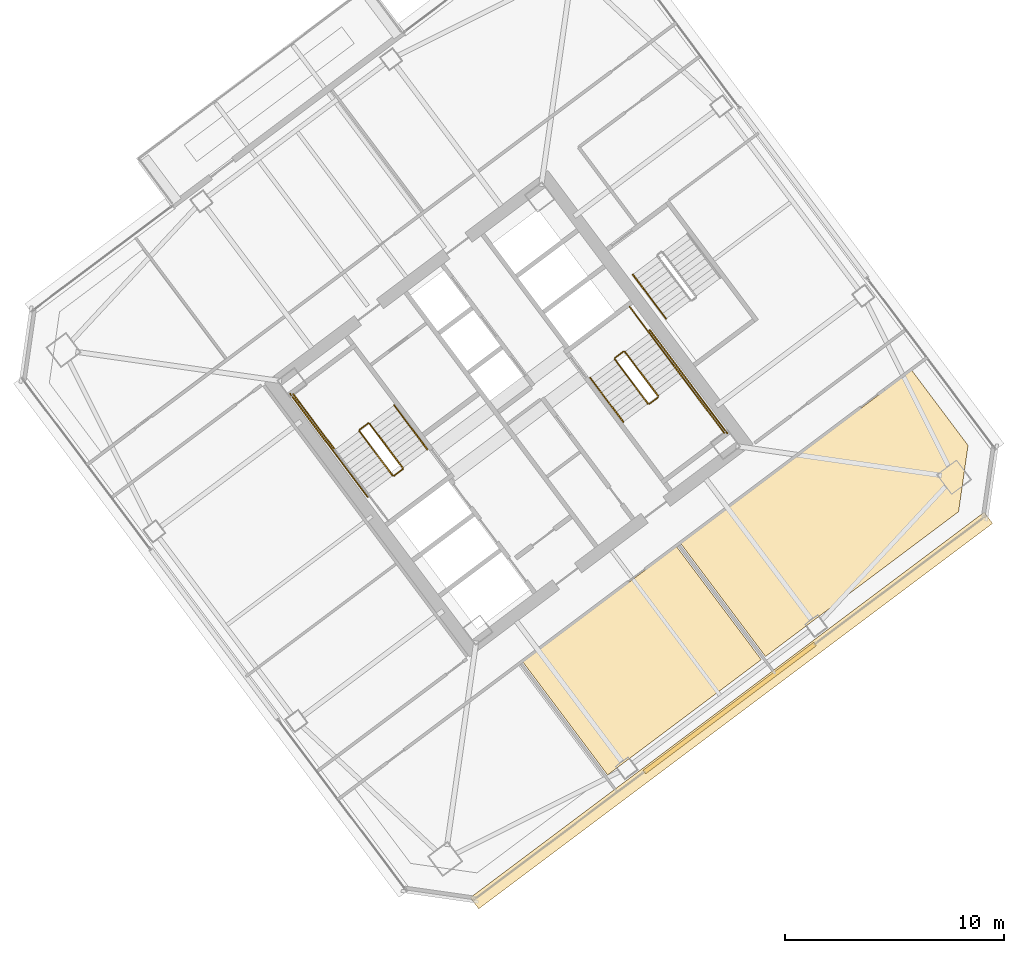
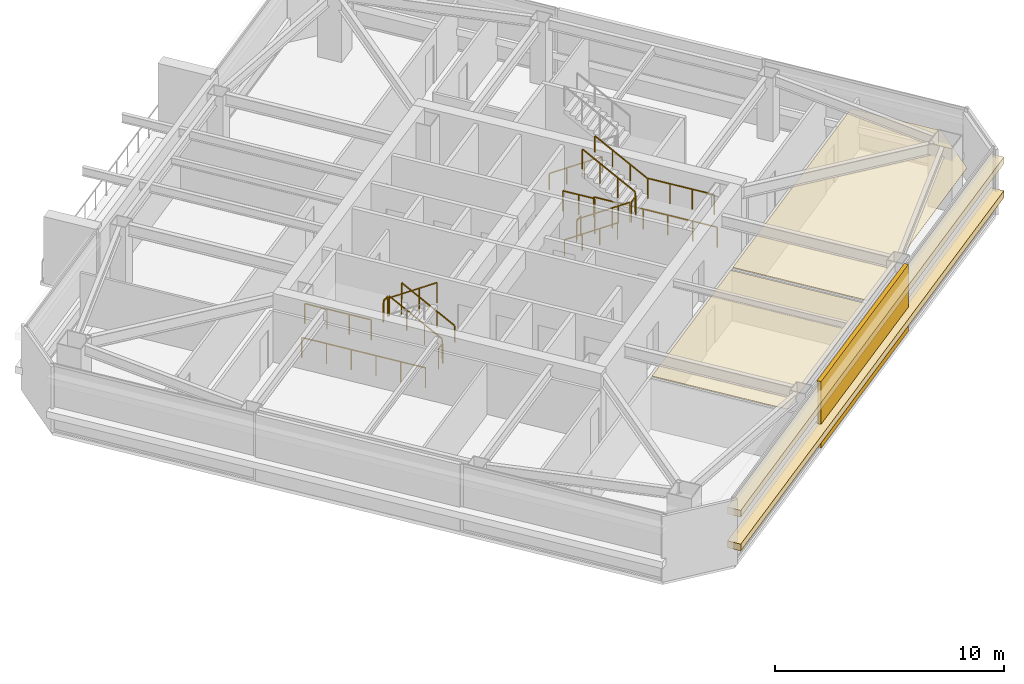
# One storey, part 39 of 41: 17 railings, 5 coverings.
"""IFC4 building model written with IfcOpenShell, lengths in metres."""

from ifc_helpers import new_model, si_unit, direction, frame, origin, origin_2d, place, context, subcontext, project, spatial, polyline, rectangle, outline, extrude, material, layer, layer_set, type_object, element, save


model = new_model("IFC4")

# Units and contexts
model_context = context("Model", 3, precision=1e-05, world=origin(), true_north=direction((0.0, 1.0)))
body_context = subcontext(model_context, "Body", "Model", "MODEL_VIEW")
ifc_project = project(units=[si_unit("LENGTHUNIT", "METRE"), si_unit("AREAUNIT", "SQUARE_METRE"), si_unit("VOLUMEUNIT", "CUBIC_METRE"), si_unit("PLANEANGLEUNIT", "RADIAN"), si_unit("MASSUNIT", "GRAM", prefix="KILO")], contexts=[model_context])

# Site, building, storey
site_placement = place(None, origin())
site = spatial("IfcSite", under=ifc_project, at=site_placement, CompositionType="ELEMENT")
building_placement = place(site_placement, origin())
building = spatial("IfcBuilding", under=site, at=building_placement, Name="Tashvorn Skyway Center", CompositionType="ELEMENT")
storey_placement = place(building_placement, frame((0.0, 0.0, 192.5)))
storey = spatial("IfcBuildingStorey", under=building, at=storey_placement, Name="L52", CompositionType="ELEMENT", Elevation=192.5)

# Coverings
ifc_material_1 = material(Name="Precast concrete C40/50", Category="concrete")
ifc_layer_1 = layer(ifc_material_1, 0.199951171875)
ifc_layer_set_1 = layer_set([ifc_layer_1], Name="Precast concrete C40/50")
covering_type_1 = type_object("IfcCoveringType", Name="COV-BRACE-CLAD", PredefinedType="CLADDING", material=ifc_layer_set_1)
covering_1_placement = place(storey_placement, frame((124.068115234375, 18.575927734375, 0.0), z_axis=(0.0, 0.0, 1.0), x_axis=(-0.799999996291, -0.600000004945, 0.0)))
element("IfcCovering", 1, at=covering_1_placement, inside=storey, type_object=covering_type_1, Name="Tower 2 L52 South Unitised Curtain Wall Mega-Brace Cladding Band 1", PredefinedType="CLADDING", context=body_context, shape_type="SweptSolid", body=[
    extrude(rectangle(XDim=9.719970703125, YDim=0.199951171875, at=origin_2d()), origin(), (0.0, 0.0, 1.0), 3.550048828125),
])
ifc_material_2 = material(Name="Mineral-fibre acoustic ceiling tile on suspended grid")
ifc_layer_2 = layer(ifc_material_2, 0.02001953125)
ifc_layer_set_2 = layer_set([ifc_layer_2], Name="Mineral-fibre acoustic ceiling tile on suspended grid")
covering_type_2 = type_object("IfcCoveringType", Name="COV-CEIL-20", PredefinedType="CEILING", material=ifc_layer_set_2)
covering_2_placement = place(storey_placement, frame((0.0, 0.0, 2.702880859375)))
element("IfcCovering", 2, at=covering_2_placement, inside=storey, type_object=covering_type_2, Name="Tower 2 L52 Boardroom Acoustic Ceiling", PredefinedType="CEILING", context=body_context, shape_type="SweptSolid", body=[
    extrude(outline(polyline([(114.639892578125, 20.679931640625), (121.64794921875, 25.93603515625), (125.511962890625, 20.783935546875), (118.50390625, 15.528076171875), (114.639892578125, 20.679931640625)])), origin(), (0.0, 0.0, 1.0), 0.02001953125),
])
covering_3_placement = place(storey_placement, frame((0.0, 0.0, 2.702880859375)))
element("IfcCovering", 3, at=covering_3_placement, inside=storey, type_object=covering_type_2, Name="Tower 2 L52 Boardroom Acoustic Ceiling", PredefinedType="CEILING", context=body_context, shape_type="SweptSolid", body=[
    extrude(outline(polyline([(125.7041015625, 20.927978515625), (121.840087890625, 26.080078125), (132.367919921875, 33.97607421875), (134.93603515625, 30.552001953125), (134.50390625, 27.528076171875), (125.7041015625, 20.927978515625)])), origin(), (0.0, 0.0, 1.0), 0.02001953125),
])
ifc_material_3 = material(Name="Perforated ceramic-coated bronze aluminium solar screen", Category="aluminium")
ifc_layer_3 = layer(ifc_material_3, 0.85009765625)
ifc_layer_set_3 = layer_set([ifc_layer_3], Name="Perforated ceramic-coated bronze aluminium solar screen")
covering_type_3 = type_object("IfcCoveringType", Name="COV-SOLAR-BAND", PredefinedType="CLADDING", material=ifc_layer_set_3)
for number, where, z_axis, x_axis, name in (
    (4, (124.152099609375, 18.464111328125, 0.919921875), (0.0, 0.0, 1.0), (-0.799999996291, -0.600000004945, 0.0), "L52 Perforated Ceramic-Metal Solar Screen Louvre Band South 1"),
    (5, (124.152099609375, 18.464111328125, 2.7197265625), (0.0, 0.0, 1.0), (-0.799999996291, -0.600000004945, 0.0), "L52 Perforated Ceramic-Metal Solar Screen Louvre Band South 2"),
):
    element("IfcCovering", number, at=place(storey_placement, frame(where, z_axis=z_axis, x_axis=x_axis)), inside=storey, type_object=covering_type_3, Name=name, PredefinedType="CLADDING", context=body_context, shape_type="SweptSolid", body=[
        extrude(rectangle(XDim=29.280029296875, YDim=0.639892578125, at=origin_2d()), origin(), (0.0, 0.0, 1.0), 0.360107421875),
    ])

# Railings
ifc_material_4 = material(Name="Brushed stainless steel 316", Category="steel")
railing_type_1 = type_object("IfcRailingType", Name="RAIL-HAND-920", PredefinedType="HANDRAIL", material=ifc_material_4)
railing_1_placement = place(storey_placement, frame((110.2880859375, 30.365966796875, 0.177490234375)))
element("IfcRailing", 6, at=railing_1_placement, inside=storey, type_object=railing_type_1, Name="L52 ST-T2-1 stair handrail 1", PredefinedType="HANDRAIL", context=body_context, shape_type="SweptSolid", body=[
    extrude(rectangle(XDim=0.048095703125, YDim=0.048095703125, at=origin_2d()), frame((0.0, 0.0, 0.8759765625), z_axis=(-0.506801609611, 0.675680931896, 0.535357270211), x_axis=(-0.799976749893, -0.600030998891, 0.0)), (0.0, 0.0, 1.0), 2.98388671875),
    extrude(rectangle(XDim=0.0419921875, YDim=0.0419921875, at=origin_2d()), origin(), (0.0, 0.0, 1.0), 0.851806640625),
    extrude(rectangle(XDim=0.0419921875, YDim=0.0419921875, at=origin_2d()), frame((-0.504150390625, 0.672119140625, 0.532470703125)), (0.0, 0.0, 1.0), 0.851806640625),
    extrude(rectangle(XDim=0.0419921875, YDim=0.0419921875, at=origin_2d()), frame((-1.008056640625, 1.343994140625, 1.06494140625)), (0.0, 0.0, 1.0), 0.851806640625),
    extrude(rectangle(XDim=0.0419921875, YDim=0.0419921875, at=origin_2d()), frame((-1.51220703125, 2.01611328125, 1.597412109375)), (0.0, 0.0, 1.0), 0.851806640625),
])
railing_2_placement = place(storey_placement, frame((117.7119140625, 33.634033203125, 0.177490234375)))
element("IfcRailing", 7, at=railing_2_placement, inside=storey, type_object=railing_type_1, Name="L52 ST-T2-2 stair handrail 1", PredefinedType="HANDRAIL", context=body_context, shape_type="SweptSolid", body=[
    extrude(rectangle(XDim=0.048095703125, YDim=0.048095703125, at=origin_2d()), frame((0.0, 0.0, 0.8759765625), z_axis=(0.506801609611, -0.675680931896, 0.535357270211), x_axis=(0.799976749893, 0.600030998891, 0.0)), (0.0, 0.0, 1.0), 2.98388671875),
    extrude(rectangle(XDim=0.0419921875, YDim=0.0419921875, at=origin_2d()), origin(), (0.0, 0.0, 1.0), 0.851806640625),
    extrude(rectangle(XDim=0.0419921875, YDim=0.0419921875, at=origin_2d()), frame((0.504150390625, -0.672119140625, 0.532470703125)), (0.0, 0.0, 1.0), 0.851806640625),
    extrude(rectangle(XDim=0.0419921875, YDim=0.0419921875, at=origin_2d()), frame((1.008056640625, -1.343994140625, 1.06494140625)), (0.0, 0.0, 1.0), 0.851806640625),
    extrude(rectangle(XDim=0.0419921875, YDim=0.0419921875, at=origin_2d()), frame((1.51220703125, -2.01611328125, 1.597412109375)), (0.0, 0.0, 1.0), 0.851806640625),
])
railing_3_placement = place(storey_placement, frame((121.927978515625, 33.64599609375, 1.952392578125)))
element("IfcRailing", 8, at=railing_3_placement, inside=storey, type_object=railing_type_1, Name="L52 ST-T2-2 stair handrail 2", PredefinedType="HANDRAIL", context=body_context, shape_type="SweptSolid", body=[
    extrude(rectangle(XDim=0.048095703125, YDim=0.048095703125, at=origin_2d()), frame((0.0, 0.0, 0.8759765625), z_axis=(-0.506718600913, 0.675679348675, 0.535437836974), x_axis=(-0.800023250257, -0.599968998406, 0.0)), (0.0, 0.0, 1.0), 2.98388671875),
    extrude(rectangle(XDim=0.0419921875, YDim=0.0419921875, at=origin_2d()), origin(), (0.0, 0.0, 1.0), 0.851806640625),
    extrude(rectangle(XDim=0.0419921875, YDim=0.0419921875, at=origin_2d()), frame((-0.50390625, 0.672119140625, 0.532470703125)), (0.0, 0.0, 1.0), 0.851806640625),
    extrude(rectangle(XDim=0.0419921875, YDim=0.0419921875, at=origin_2d()), frame((-1.008056640625, 1.343994140625, 1.065185546875)), (0.0, 0.0, 1.0), 0.851806640625),
    extrude(rectangle(XDim=0.0419921875, YDim=0.0419921875, at=origin_2d()), frame((-1.511962890625, 2.01611328125, 1.59765625)), (0.0, 0.0, 1.0), 0.851806640625),
])
railing_4_placement = place(storey_placement, frame((119.656005859375, 38.342041015625, 0.177490234375)))
element("IfcRailing", 9, at=railing_4_placement, inside=storey, type_object=railing_type_1, Name="L52 ST-T2-3 stair handrail 1", PredefinedType="HANDRAIL", context=body_context, shape_type="SweptSolid", body=[
    extrude(rectangle(XDim=0.048095703125, YDim=0.048095703125, at=origin_2d()), frame((0.0, 0.0, 0.8759765625), z_axis=(0.506740800098, -0.675708949977, 0.535379469569), x_axis=(0.800023250257, 0.599968998406, 0.0)), (0.0, 0.0, 1.0), 2.983642578125),
    extrude(rectangle(XDim=0.0419921875, YDim=0.0419921875, at=origin_2d()), origin(), (0.0, 0.0, 1.0), 0.851806640625),
    extrude(rectangle(XDim=0.0419921875, YDim=0.0419921875, at=origin_2d()), frame((0.50390625, -0.672119140625, 0.532470703125)), (0.0, 0.0, 1.0), 0.851806640625),
    extrude(rectangle(XDim=0.0419921875, YDim=0.0419921875, at=origin_2d()), frame((1.008056640625, -1.343994140625, 1.06494140625)), (0.0, 0.0, 1.0), 0.851806640625),
    extrude(rectangle(XDim=0.0419921875, YDim=0.0419921875, at=origin_2d()), frame((1.511962890625, -2.01611328125, 1.597412109375)), (0.0, 0.0, 1.0), 0.851806640625),
])
ifc_material_5 = material(Name="Painted galvanized steel S355", Category="steel")
railing_type_2 = type_object("IfcRailingType", Name="RAIL-STGUARD-1100", PredefinedType="GUARDRAIL", material=ifc_material_5)
railing_5_placement = place(storey_placement, frame((109.16796875, 29.52587890625, 0.177490234375)))
element("IfcRailing", 10, at=railing_5_placement, inside=storey, type_object=railing_type_2, Name="L52 ST-T2-1 stair guard 1", PredefinedType="GUARDRAIL", context=body_context, shape_type="SweptSolid", body=[
    extrude(rectangle(XDim=0.048095703125, YDim=0.048095703125, at=origin_2d()), frame((0.0, 0.0, 1.076171875), z_axis=(-0.506740800098, 0.675708949977, 0.535379469569), x_axis=(-0.800023250257, -0.599968998406, 0.0)), (0.0, 0.0, 1.0), 2.983642578125),
    extrude(rectangle(XDim=0.0419921875, YDim=0.0419921875, at=origin_2d()), origin(), (0.0, 0.0, 1.0), 1.052001953125),
    extrude(rectangle(XDim=0.0419921875, YDim=0.0419921875, at=origin_2d()), frame((-0.50390625, 0.672119140625, 0.532470703125)), (0.0, 0.0, 1.0), 1.052001953125),
    extrude(rectangle(XDim=0.0419921875, YDim=0.0419921875, at=origin_2d()), frame((-1.008056640625, 1.343994140625, 1.06494140625)), (0.0, 0.0, 1.0), 1.052001953125),
    extrude(rectangle(XDim=0.0419921875, YDim=0.0419921875, at=origin_2d()), frame((-1.511962890625, 2.01611328125, 1.597412109375)), (0.0, 0.0, 1.0), 1.052001953125),
])
railing_6_placement = place(storey_placement, frame((107.5859375, 31.552001953125, 1.77490234375)))
element("IfcRailing", 11, at=railing_6_placement, inside=storey, type_object=railing_type_2, Name="L52 ST-T2-1 stair guard 2", PredefinedType="GUARDRAIL", context=body_context, shape_type="SweptSolid", body=[
    extrude(rectangle(XDim=0.048095703125, YDim=0.048095703125, at=origin_2d()), frame((0.0, 0.0, 1.076171875), z_axis=(-0.799938970639, -0.600081363861, 0.0), x_axis=(0.600081363861, -0.799938970639, 0.0)), (0.0, 0.0, 1.0), 0.47998046875),
    extrude(rectangle(XDim=0.0419921875, YDim=0.0419921875, at=origin_2d()), origin(), (0.0, 0.0, 1.0), 1.052001953125),
    extrude(rectangle(XDim=0.0419921875, YDim=0.0419921875, at=origin_2d()), frame((-0.384033203125, -0.2880859375, 0.0)), (0.0, 0.0, 1.0), 1.052001953125),
])
railing_7_placement = place(storey_placement, frame((106.072021484375, 30.35400390625, 1.77490234375)))
element("IfcRailing", 12, at=railing_7_placement, inside=storey, type_object=railing_type_2, Name="L52 ST-T2-1 stair guard 3", PredefinedType="GUARDRAIL", context=body_context, shape_type="SweptSolid", body=[
    extrude(rectangle(XDim=0.048095703125, YDim=0.048095703125, at=origin_2d()), frame((0.0, 0.0, 1.076171875), z_axis=(-0.599987638607, 0.800009270896, 0.0), x_axis=(-0.800009270896, -0.599987638607, 0.0)), (0.0, 0.0, 1.0), 3.16015625),
    extrude(rectangle(XDim=0.0419921875, YDim=0.0419921875, at=origin_2d()), origin(), (0.0, 0.0, 1.0), 1.052001953125),
    extrude(rectangle(XDim=0.0419921875, YDim=0.0419921875, at=origin_2d()), frame((-0.632080078125, 0.8427734375, 0.0)), (0.0, 0.0, 1.0), 1.052001953125),
    extrude(rectangle(XDim=0.0419921875, YDim=0.0419921875, at=origin_2d()), frame((-1.263916015625, 1.685302734375, 0.0)), (0.0, 0.0, 1.0), 1.052001953125),
    extrude(rectangle(XDim=0.0419921875, YDim=0.0419921875, at=origin_2d()), frame((-1.89599609375, 2.528076171875, 0.0)), (0.0, 0.0, 1.0), 1.052001953125),
])
railing_8_placement = place(storey_placement, frame((107.19189453125, 31.194091796875, 1.952392578125)))
element("IfcRailing", 13, at=railing_8_placement, inside=storey, type_object=railing_type_2, Name="L52 ST-T2-1 stair guard 4", PredefinedType="GUARDRAIL", context=body_context, shape_type="SweptSolid", body=[
    extrude(rectangle(XDim=0.048095703125, YDim=0.048095703125, at=origin_2d()), frame((0.0, 0.0, 1.076171875), z_axis=(0.506779409603, -0.675651334276, 0.53541563714), x_axis=(0.799976749893, 0.600030998891, 0.0)), (0.0, 0.0, 1.0), 2.98388671875),
    extrude(rectangle(XDim=0.0419921875, YDim=0.0419921875, at=origin_2d()), origin(), (0.0, 0.0, 1.0), 1.052001953125),
    extrude(rectangle(XDim=0.0419921875, YDim=0.0419921875, at=origin_2d()), frame((0.504150390625, -0.672119140625, 0.532470703125)), (0.0, 0.0, 1.0), 1.052001953125),
    extrude(rectangle(XDim=0.0419921875, YDim=0.0419921875, at=origin_2d()), frame((1.008056640625, -1.343994140625, 1.065185546875)), (0.0, 0.0, 1.0), 1.052001953125),
    extrude(rectangle(XDim=0.0419921875, YDim=0.0419921875, at=origin_2d()), frame((1.51220703125, -2.01611328125, 1.59765625)), (0.0, 0.0, 1.0), 1.052001953125),
])
railing_9_placement = place(storey_placement, frame((109.157958984375, 29.4560546875, 0.0)))
element("IfcRailing", 14, at=railing_9_placement, inside=storey, type_object=railing_type_2, Name="L52 ST-T2-1 stair guard 5", PredefinedType="GUARDRAIL", context=body_context, shape_type="SweptSolid", body=[
    extrude(rectangle(XDim=0.048095703125, YDim=0.048095703125, at=origin_2d()), frame((0.0, 0.0, 1.076171875), z_axis=(-0.799938970639, -0.600081363861, 0.0), x_axis=(0.600081363861, -0.799938970639, 0.0)), (0.0, 0.0, 1.0), 0.47998046875),
    extrude(rectangle(XDim=0.0419921875, YDim=0.0419921875, at=origin_2d()), origin(), (0.0, 0.0, 1.0), 1.052001953125),
    extrude(rectangle(XDim=0.0419921875, YDim=0.0419921875, at=origin_2d()), frame((-0.384033203125, -0.2880859375, 0.0)), (0.0, 0.0, 1.0), 1.052001953125),
])
railing_10_placement = place(storey_placement, frame((107.56396484375, 28.197998046875, 0.0)))
element("IfcRailing", 15, at=railing_10_placement, inside=storey, type_object=railing_type_2, Name="L52 ST-T2-1 stair guard 7", PredefinedType="GUARDRAIL", context=body_context, shape_type="SweptSolid", body=[
    extrude(rectangle(XDim=0.048095703125, YDim=0.048095703125, at=origin_2d()), frame((0.0, 0.0, 1.076171875), z_axis=(-0.6, 0.8, 0.0), x_axis=(-0.8, -0.6, 0.0)), (0.0, 0.0, 1.0), 5.880126953125),
    extrude(rectangle(XDim=0.0419921875, YDim=0.0419921875, at=origin_2d()), origin(), (0.0, 0.0, 1.0), 1.052001953125),
    extrude(rectangle(XDim=0.0419921875, YDim=0.0419921875, at=origin_2d()), frame((-0.70556640625, 0.94091796875, 0.0)), (0.0, 0.0, 1.0), 1.052001953125),
    extrude(rectangle(XDim=0.0419921875, YDim=0.0419921875, at=origin_2d()), frame((-1.4111328125, 1.881591796875, 0.0)), (0.0, 0.0, 1.0), 1.052001953125),
    extrude(rectangle(XDim=0.0419921875, YDim=0.0419921875, at=origin_2d()), frame((-2.116943359375, 2.822509765625, 0.0)), (0.0, 0.0, 1.0), 1.052001953125),
    extrude(rectangle(XDim=0.0419921875, YDim=0.0419921875, at=origin_2d()), frame((-2.822509765625, 3.76318359375, 0.0)), (0.0, 0.0, 1.0), 1.052001953125),
    extrude(rectangle(XDim=0.0419921875, YDim=0.0419921875, at=origin_2d()), frame((-3.528076171875, 4.7041015625, 0.0)), (0.0, 0.0, 1.0), 1.052001953125),
])
railing_11_placement = place(storey_placement, frame((118.83203125, 34.47412109375, 0.177490234375)))
element("IfcRailing", 16, at=railing_11_placement, inside=storey, type_object=railing_type_2, Name="L52 ST-T2-2 stair guard 1", PredefinedType="GUARDRAIL", context=body_context, shape_type="SweptSolid", body=[
    extrude(rectangle(XDim=0.048095703125, YDim=0.048095703125, at=origin_2d()), frame((0.0, 0.0, 1.076171875), z_axis=(0.506740800098, -0.675708949977, 0.535379469569), x_axis=(0.800023250257, 0.599968998406, 0.0)), (0.0, 0.0, 1.0), 2.983642578125),
    extrude(rectangle(XDim=0.0419921875, YDim=0.0419921875, at=origin_2d()), origin(), (0.0, 0.0, 1.0), 1.052001953125),
    extrude(rectangle(XDim=0.0419921875, YDim=0.0419921875, at=origin_2d()), frame((0.50390625, -0.672119140625, 0.532470703125)), (0.0, 0.0, 1.0), 1.052001953125),
    extrude(rectangle(XDim=0.0419921875, YDim=0.0419921875, at=origin_2d()), frame((1.008056640625, -1.343994140625, 1.06494140625)), (0.0, 0.0, 1.0), 1.052001953125),
    extrude(rectangle(XDim=0.0419921875, YDim=0.0419921875, at=origin_2d()), frame((1.511962890625, -2.01611328125, 1.597412109375)), (0.0, 0.0, 1.0), 1.052001953125),
])
railing_12_placement = place(storey_placement, frame((120.4140625, 32.447998046875, 1.77490234375)))
element("IfcRailing", 17, at=railing_12_placement, inside=storey, type_object=railing_type_2, Name="L52 ST-T2-2 stair guard 2", PredefinedType="GUARDRAIL", context=body_context, shape_type="SweptSolid", body=[
    extrude(rectangle(XDim=0.048095703125, YDim=0.048095703125, at=origin_2d()), frame((0.0, 0.0, 1.076171875), z_axis=(0.799938970639, 0.600081363861, 0.0), x_axis=(-0.600081363861, 0.799938970639, 0.0)), (0.0, 0.0, 1.0), 0.47998046875),
    extrude(rectangle(XDim=0.0419921875, YDim=0.0419921875, at=origin_2d()), origin(), (0.0, 0.0, 1.0), 1.052001953125),
    extrude(rectangle(XDim=0.0419921875, YDim=0.0419921875, at=origin_2d()), frame((0.384033203125, 0.2880859375, 0.0)), (0.0, 0.0, 1.0), 1.052001953125),
])
railing_13_placement = place(storey_placement, frame((121.927978515625, 33.64599609375, 1.77490234375)))
element("IfcRailing", 18, at=railing_13_placement, inside=storey, type_object=railing_type_2, Name="L52 ST-T2-2 stair guard 3", PredefinedType="GUARDRAIL", context=body_context, shape_type="SweptSolid", body=[
    extrude(rectangle(XDim=0.048095703125, YDim=0.048095703125, at=origin_2d()), frame((0.0, 0.0, 1.076171875), z_axis=(0.599987638607, -0.800009270896, 0.0), x_axis=(0.800009270896, 0.599987638607, 0.0)), (0.0, 0.0, 1.0), 3.16015625),
    extrude(rectangle(XDim=0.0419921875, YDim=0.0419921875, at=origin_2d()), origin(), (0.0, 0.0, 1.0), 1.052001953125),
    extrude(rectangle(XDim=0.0419921875, YDim=0.0419921875, at=origin_2d()), frame((0.632080078125, -0.8427734375, 0.0)), (0.0, 0.0, 1.0), 1.052001953125),
    extrude(rectangle(XDim=0.0419921875, YDim=0.0419921875, at=origin_2d()), frame((1.263916015625, -1.685302734375, 0.0)), (0.0, 0.0, 1.0), 1.052001953125),
    extrude(rectangle(XDim=0.0419921875, YDim=0.0419921875, at=origin_2d()), frame((1.89599609375, -2.528076171875, 0.0)), (0.0, 0.0, 1.0), 1.052001953125),
])
railing_14_placement = place(storey_placement, frame((120.80810546875, 32.805908203125, 1.952392578125)))
element("IfcRailing", 19, at=railing_14_placement, inside=storey, type_object=railing_type_2, Name="L52 ST-T2-2 stair guard 4", PredefinedType="GUARDRAIL", context=body_context, shape_type="SweptSolid", body=[
    extrude(rectangle(XDim=0.048095703125, YDim=0.048095703125, at=origin_2d()), frame((0.0, 0.0, 1.076171875), z_axis=(-0.506779409603, 0.675651334276, 0.53541563714), x_axis=(-0.799976749893, -0.600030998891, 0.0)), (0.0, 0.0, 1.0), 2.98388671875),
    extrude(rectangle(XDim=0.0419921875, YDim=0.0419921875, at=origin_2d()), origin(), (0.0, 0.0, 1.0), 1.052001953125),
    extrude(rectangle(XDim=0.0419921875, YDim=0.0419921875, at=origin_2d()), frame((-0.504150390625, 0.672119140625, 0.532470703125)), (0.0, 0.0, 1.0), 1.052001953125),
    extrude(rectangle(XDim=0.0419921875, YDim=0.0419921875, at=origin_2d()), frame((-1.008056640625, 1.343994140625, 1.065185546875)), (0.0, 0.0, 1.0), 1.052001953125),
    extrude(rectangle(XDim=0.0419921875, YDim=0.0419921875, at=origin_2d()), frame((-1.51220703125, 2.01611328125, 1.59765625)), (0.0, 0.0, 1.0), 1.052001953125),
])
railing_15_placement = place(storey_placement, frame((118.842041015625, 34.5439453125, 0.0)))
element("IfcRailing", 20, at=railing_15_placement, inside=storey, type_object=railing_type_2, Name="L52 ST-T2-2 stair guard 5", PredefinedType="GUARDRAIL", context=body_context, shape_type="SweptSolid", body=[
    extrude(rectangle(XDim=0.048095703125, YDim=0.048095703125, at=origin_2d()), frame((0.0, 0.0, 1.076171875), z_axis=(0.799938970639, 0.600081363861, 0.0), x_axis=(-0.600081363861, 0.799938970639, 0.0)), (0.0, 0.0, 1.0), 0.47998046875),
    extrude(rectangle(XDim=0.0419921875, YDim=0.0419921875, at=origin_2d()), origin(), (0.0, 0.0, 1.0), 1.052001953125),
    extrude(rectangle(XDim=0.0419921875, YDim=0.0419921875, at=origin_2d()), frame((0.384033203125, 0.2880859375, 0.0)), (0.0, 0.0, 1.0), 1.052001953125),
])
railing_16_placement = place(storey_placement, frame((119.50390625, 36.8779296875, 0.0)))
element("IfcRailing", 21, at=railing_16_placement, inside=storey, type_object=railing_type_2, Name="L52 ST-T2-2 stair guard 6", PredefinedType="GUARDRAIL", context=body_context, shape_type="SweptSolid", body=[
    extrude(rectangle(XDim=0.048095703125, YDim=0.048095703125, at=origin_2d()), frame((0.0, 0.0, 1.076171875), z_axis=(0.600102796382, -0.799922892393, 0.0), x_axis=(0.799922892393, 0.600102796382, 0.0)), (0.0, 0.0, 1.0), 1.52001953125),
    extrude(rectangle(XDim=0.0419921875, YDim=0.0419921875, at=origin_2d()), origin(), (0.0, 0.0, 1.0), 1.052001953125),
    extrude(rectangle(XDim=0.0419921875, YDim=0.0419921875, at=origin_2d()), frame((0.4560546875, -0.60791015625, 0.0)), (0.0, 0.0, 1.0), 1.052001953125),
    extrude(rectangle(XDim=0.0419921875, YDim=0.0419921875, at=origin_2d()), frame((0.912109375, -1.2158203125, 0.0)), (0.0, 0.0, 1.0), 1.052001953125),
])
railing_17_placement = place(storey_placement, frame((120.43603515625, 35.802001953125, 0.0)))
element("IfcRailing", 22, at=railing_17_placement, inside=storey, type_object=railing_type_2, Name="L52 ST-T2-2 stair guard 7", PredefinedType="GUARDRAIL", context=body_context, shape_type="SweptSolid", body=[
    extrude(rectangle(XDim=0.048095703125, YDim=0.048095703125, at=origin_2d()), frame((0.0, 0.0, 1.076171875), z_axis=(0.6, -0.8, 0.0), x_axis=(0.8, 0.6, 0.0)), (0.0, 0.0, 1.0), 5.880126953125),
    extrude(rectangle(XDim=0.0419921875, YDim=0.0419921875, at=origin_2d()), origin(), (0.0, 0.0, 1.0), 1.052001953125),
    extrude(rectangle(XDim=0.0419921875, YDim=0.0419921875, at=origin_2d()), frame((0.70556640625, -0.94091796875, 0.0)), (0.0, 0.0, 1.0), 1.052001953125),
    extrude(rectangle(XDim=0.0419921875, YDim=0.0419921875, at=origin_2d()), frame((1.4111328125, -1.881591796875, 0.0)), (0.0, 0.0, 1.0), 1.052001953125),
    extrude(rectangle(XDim=0.0419921875, YDim=0.0419921875, at=origin_2d()), frame((2.116943359375, -2.822509765625, 0.0)), (0.0, 0.0, 1.0), 1.052001953125),
    extrude(rectangle(XDim=0.0419921875, YDim=0.0419921875, at=origin_2d()), frame((2.822509765625, -3.76318359375, 0.0)), (0.0, 0.0, 1.0), 1.052001953125),
    extrude(rectangle(XDim=0.0419921875, YDim=0.0419921875, at=origin_2d()), frame((3.528076171875, -4.7041015625, 0.0)), (0.0, 0.0, 1.0), 1.052001953125),
])

save(model, "model.ifc")
